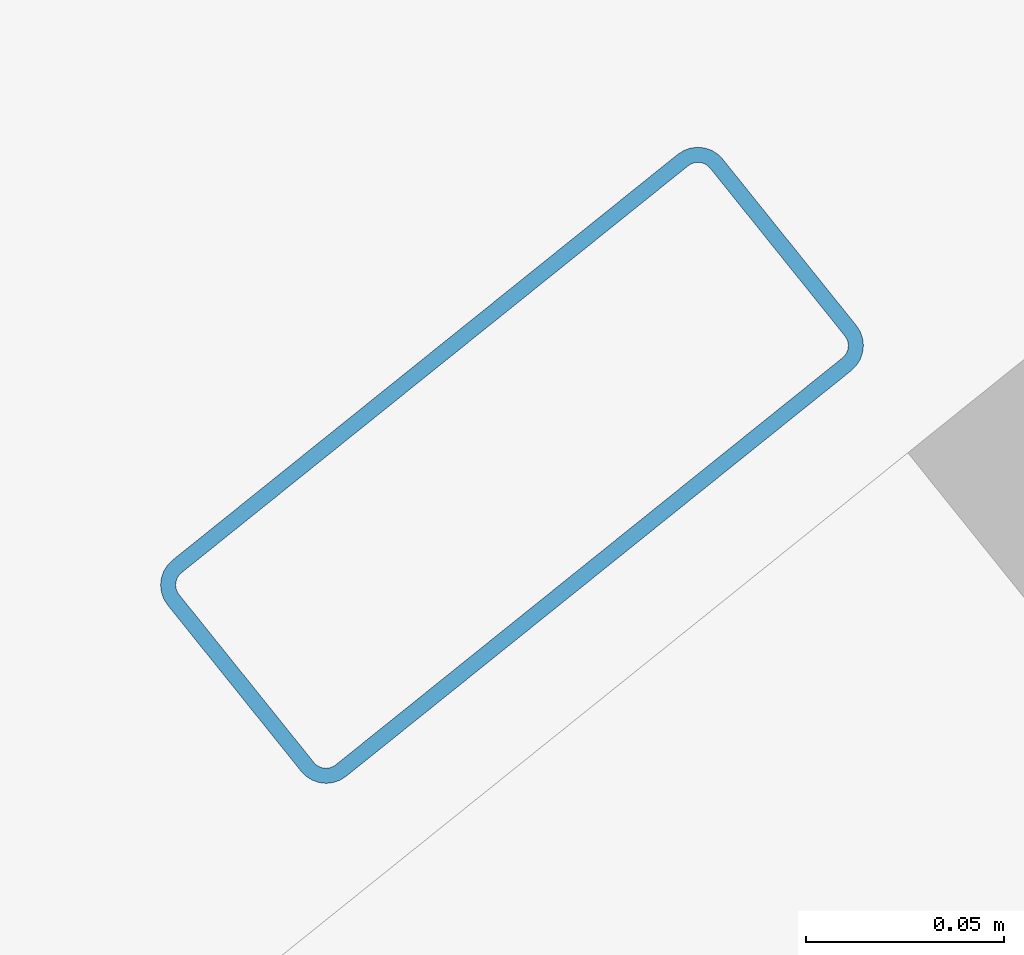
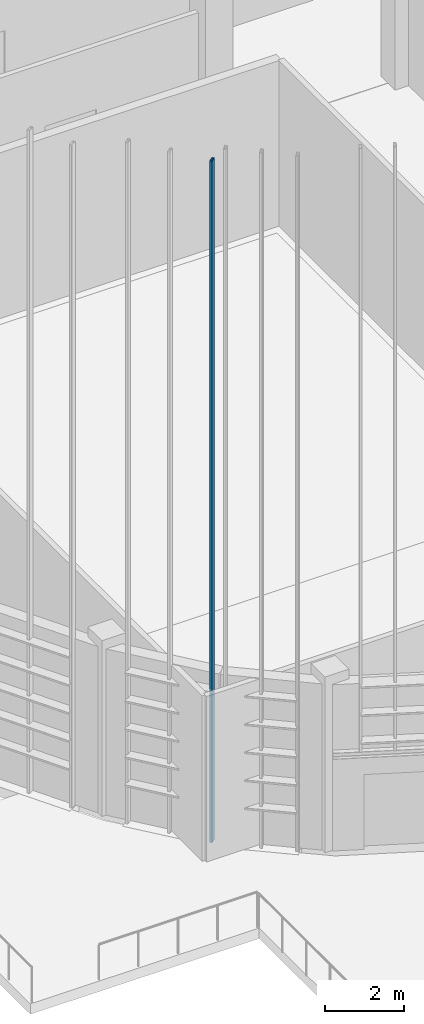
# One storey, part 177 of 372: 1 member.
"""IFC4 building model written with IfcOpenShell, lengths in metres."""

from ifc_helpers import new_model, si_unit, direction, frame, origin, origin_2d, place, context, subcontext, project, spatial, hollow_rectangle, extrude, material, material_profile, profile_set, type_object, element, save


model = new_model("IFC4")

# Units and contexts
model_context = context("Model", 3, precision=1e-05, world=origin(), true_north=direction((0.0, 1.0)))
body_context = subcontext(model_context, "Body", "Model", "MODEL_VIEW")
ifc_project = project(units=[si_unit("LENGTHUNIT", "METRE"), si_unit("AREAUNIT", "SQUARE_METRE"), si_unit("VOLUMEUNIT", "CUBIC_METRE"), si_unit("PLANEANGLEUNIT", "RADIAN"), si_unit("MASSUNIT", "GRAM", prefix="KILO")], contexts=[model_context])

# Site, building, storey
site_placement = place(None, origin())
site = spatial("IfcSite", under=ifc_project, at=site_placement, CompositionType="ELEMENT")
building_placement = place(site_placement, origin())
building = spatial("IfcBuilding", under=site, at=building_placement, Name="Kaelora Sail Theatre", CompositionType="ELEMENT")
storey_placement = place(building_placement, origin())
storey = spatial("IfcBuildingStorey", under=building, at=storey_placement, Name="L00", CompositionType="ELEMENT", Elevation=0.0)

# Member
ifc_material = material(Name="Anodised aluminium 6063-T6", Category="aluminium")
ifc_material_profile = material_profile(ifc_material, hollow_rectangle(XDim=0.070068359375, YDim=0.179931640625, WallThickness=0.00390625, InnerFilletRadius=0.00390625, OuterFilletRadius=0.008056640625, at=origin_2d()), Name="ALU-MULL 70x180x4")
ifc_profile_set = profile_set([ifc_material_profile], Name="Anodised aluminium 6063-T6")
member_type = type_object("IfcMemberType", Name="ARC-MEM-PST-160", PredefinedType="POST", material=ifc_profile_set)
member_placement = place(storey_placement, frame((83.386962890625, 34.462890625, 0.0), z_axis=(0.0, 0.0, 1.0), x_axis=(-0.626195665085, 0.779665947075, 0.0)))
element("IfcMember", 1, at=member_placement, inside=storey, type_object=member_type, Name="Studio Theatre Sail Drum solar louvre vertical support post C14-1", PredefinedType="POST", context=body_context, shape_type="SweptSolid", body=[
    extrude(hollow_rectangle(XDim=0.070068359375, YDim=0.179931640625, WallThickness=0.00390625, InnerFilletRadius=0.00390625, OuterFilletRadius=0.008056640625, at=origin_2d()), origin(), (0.0, 0.0, 1.0), 20.927978515625),
])

save(model, "model.ifc")
